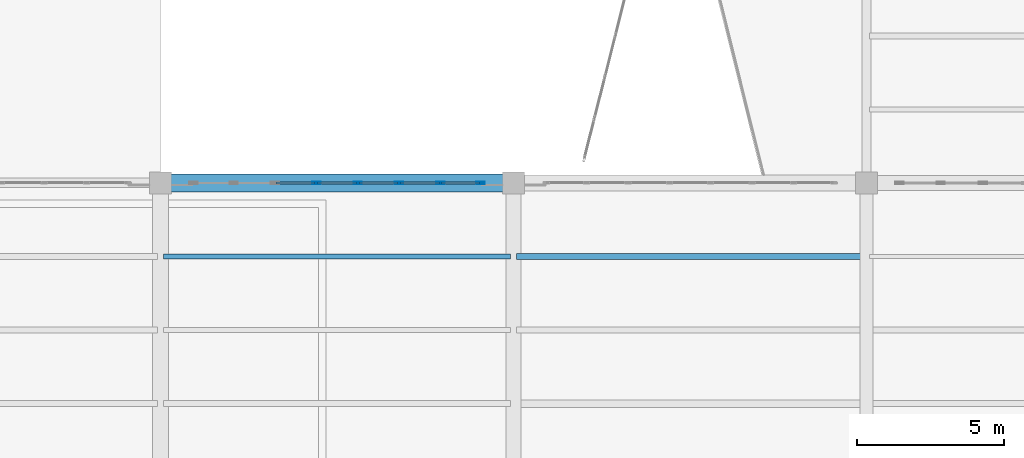
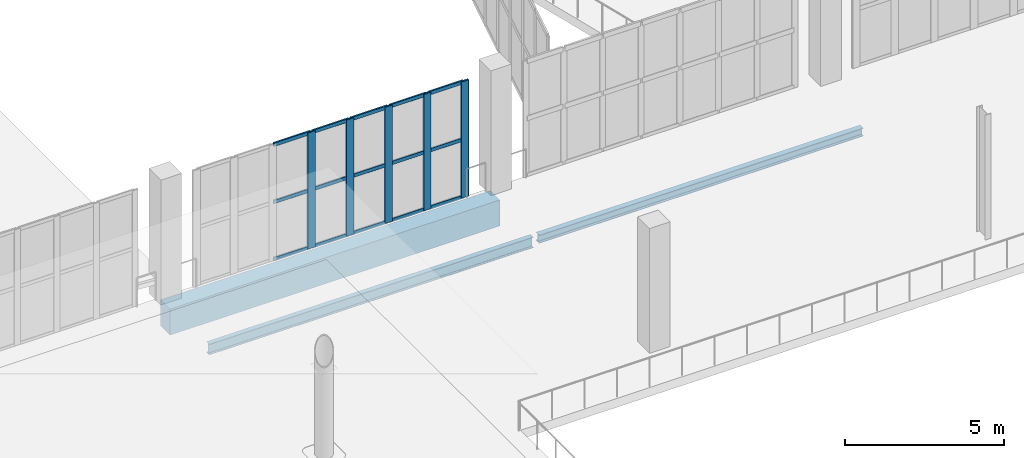
# One storey, part 28 of 136: 20 members, 3 beams, 1 element without a shape of its own.
"""IFC4 building model written with IfcOpenShell, lengths in metres."""

from ifc_helpers import new_model, si_unit, direction, frame, origin, origin_2d, place, context, subcontext, project, spatial, rectangle, hollow_rectangle, i_section, extrude, material, layer, layer_set, material_profile, profile_set, type_object, element, aggregate, save


model = new_model("IFC4")

# Units and contexts
model_context = context("Model", 3, precision=1e-05, world=origin(), true_north=direction((0.0, 1.0)))
body_context = subcontext(model_context, "Body", "Model", "MODEL_VIEW")
ifc_project = project(units=[si_unit("LENGTHUNIT", "METRE"), si_unit("AREAUNIT", "SQUARE_METRE"), si_unit("VOLUMEUNIT", "CUBIC_METRE"), si_unit("PLANEANGLEUNIT", "RADIAN"), si_unit("MASSUNIT", "GRAM", prefix="KILO")], contexts=[model_context])

# Site, building, storey
site_placement = place(None, origin())
site = spatial("IfcSite", under=ifc_project, at=site_placement, CompositionType="ELEMENT")
building_placement = place(site_placement, origin())
building = spatial("IfcBuilding", under=site, at=building_placement, Name="Brinegate Civic Arena", CompositionType="ELEMENT")
storey_placement = place(building_placement, frame((0.0, 0.0, 5.39990234375)))
storey = spatial("IfcBuildingStorey", under=building, at=storey_placement, Name="L01", CompositionType="ELEMENT", Elevation=5.39990234375)

# Curtain wall, members
ifc_material_1 = material(Name="Marine grade aluminium", Category="aluminium")
ifc_layer = layer(ifc_material_1, 0.18505859375, Name="Marine grade aluminium")
ifc_layer_set = layer_set([ifc_layer], Name="Marine grade aluminium")
curtain_wall_type = type_object("IfcCurtainWallType", Name="CW-WING-GLAZED-03", PredefinedType="USERDEFINED", material=ifc_layer_set)
curtain_wall_placement = place(storey_placement, origin())
curtain_wall = element("IfcCurtainWall", 1, at=curtain_wall_placement, inside=storey, type_object=curtain_wall_type, Name="Curtain Wall CWA-015", ObjectType="GLAZED CURTAIN WALL", PredefinedType="USERDEFINED")
ifc_material_profile_1 = material_profile(ifc_material_1, hollow_rectangle(XDim=0.080078125, YDim=0.280029296875, WallThickness=0.007080078125, InnerFilletRadius=0.0048828125, OuterFilletRadius=0.010009765625, at=origin_2d()), Name="MUL80X280")
ifc_profile_set_1 = profile_set([ifc_material_profile_1], Name="Marine grade aluminium")
member_type_1 = type_object("IfcMemberType", Name="CW-MULLION-80X280", PredefinedType="MULLION", material=ifc_profile_set_1)
member_1_placement = place(storey_placement, frame((17.297119140625, 52.0, 0.0), z_axis=(0.0, 0.0, 1.0), x_axis=(0.0, 1.0, 0.0)))
member_1 = element("IfcMember", 2, at=member_1_placement, type_object=member_type_1, Name="CWA-015 mullion 4", PredefinedType="MULLION", context=body_context, shape_type="SweptSolid", body=[
    extrude(hollow_rectangle(XDim=0.080078125, YDim=0.280029296875, WallThickness=0.007080078125, InnerFilletRadius=0.0048828125, OuterFilletRadius=0.010009765625, at=origin_2d()), origin(), (0.0, 0.0, 1.0), 4.47021484375),
])
member_2_placement = place(storey_placement, frame((18.702880859375, 52.0, 0.0), z_axis=(0.0, 0.0, 1.0), x_axis=(0.0, 1.0, 0.0)))
member_2 = element("IfcMember", 3, at=member_2_placement, type_object=member_type_1, Name="CWA-015 mullion 5", PredefinedType="MULLION", context=body_context, shape_type="SweptSolid", body=[
    extrude(hollow_rectangle(XDim=0.080078125, YDim=0.280029296875, WallThickness=0.007080078125, InnerFilletRadius=0.0048828125, OuterFilletRadius=0.010009765625, at=origin_2d()), origin(), (0.0, 0.0, 1.0), 4.47021484375),
])
member_3_placement = place(storey_placement, frame((20.108642578125, 52.0, 0.0), z_axis=(0.0, 0.0, 1.0), x_axis=(0.0, 1.0, 0.0)))
member_3 = element("IfcMember", 4, at=member_3_placement, type_object=member_type_1, Name="CWA-015 mullion 6", PredefinedType="MULLION", context=body_context, shape_type="SweptSolid", body=[
    extrude(hollow_rectangle(XDim=0.080078125, YDim=0.280029296875, WallThickness=0.007080078125, InnerFilletRadius=0.0048828125, OuterFilletRadius=0.010009765625, at=origin_2d()), origin(), (0.0, 0.0, 1.0), 4.47021484375),
])
member_4_placement = place(storey_placement, frame((21.514404296875, 52.0, 0.0), z_axis=(0.0, 0.0, 1.0), x_axis=(0.0, 1.0, 0.0)))
member_4 = element("IfcMember", 5, at=member_4_placement, type_object=member_type_1, Name="CWA-015 mullion 7", PredefinedType="MULLION", context=body_context, shape_type="SweptSolid", body=[
    extrude(hollow_rectangle(XDim=0.080078125, YDim=0.280029296875, WallThickness=0.007080078125, InnerFilletRadius=0.0048828125, OuterFilletRadius=0.010009765625, at=origin_2d()), origin(), (0.0, 0.0, 1.0), 4.47021484375),
])
member_5_placement = place(storey_placement, frame((22.8798828125, 52.0, 0.0), z_axis=(0.0, 0.0, 1.0), x_axis=(0.0, 1.0, 0.0)))
member_5 = element("IfcMember", 6, at=member_5_placement, type_object=member_type_1, Name="CWA-015 mullion 8", PredefinedType="MULLION", context=body_context, shape_type="SweptSolid", body=[
    extrude(hollow_rectangle(XDim=0.080078125, YDim=0.280029296875, WallThickness=0.007080078125, InnerFilletRadius=0.0048828125, OuterFilletRadius=0.010009765625, at=origin_2d()), origin(), (0.0, 0.0, 1.0), 4.47021484375),
])
ifc_material_profile_2 = material_profile(ifc_material_1, hollow_rectangle(XDim=0.06494140625, YDim=0.139892578125, WallThickness=0.0048828125, InnerFilletRadius=0.00390625, OuterFilletRadius=0.008056640625, at=origin_2d()), Name="TRN65X140")
ifc_profile_set_2 = profile_set([ifc_material_profile_2], Name="Marine grade aluminium")
member_type_2 = type_object("IfcMemberType", Name="CW-TRANSOM-65X140", PredefinedType="USERDEFINED", material=ifc_profile_set_2)
member_6_placement = place(storey_placement, frame((15.931396484375, 52.0, 0.03271484375), z_axis=(1.0, 0.0, 0.0), x_axis=(0.0, 1.0, 0.0)))
member_6 = element("IfcMember", 7, at=member_6_placement, type_object=member_type_2, Name="CWA-015 transom 3.1", ObjectType="TRANSOM", PredefinedType="USERDEFINED", context=body_context, shape_type="SweptSolid", body=[
    extrude(hollow_rectangle(XDim=0.06494140625, YDim=0.139892578125, WallThickness=0.0048828125, InnerFilletRadius=0.00390625, OuterFilletRadius=0.008056640625, at=origin_2d()), origin(), (0.0, 0.0, 1.0), 1.32568359375),
])
member_7_placement = place(storey_placement, frame((15.931396484375, 52.0, 2.235107421875), z_axis=(1.0, 0.0, 0.0), x_axis=(0.0, 1.0, 0.0)))
member_7 = element("IfcMember", 8, at=member_7_placement, type_object=member_type_2, Name="CWA-015 transom 3.2", ObjectType="TRANSOM", PredefinedType="USERDEFINED", context=body_context, shape_type="SweptSolid", body=[
    extrude(hollow_rectangle(XDim=0.06494140625, YDim=0.139892578125, WallThickness=0.0048828125, InnerFilletRadius=0.00390625, OuterFilletRadius=0.008056640625, at=origin_2d()), origin(), (0.0, 0.0, 1.0), 1.32568359375),
])
member_8_placement = place(storey_placement, frame((15.931396484375, 52.0, 4.4375), z_axis=(1.0, 0.0, 0.0), x_axis=(0.0, 1.0, 0.0)))
member_8 = element("IfcMember", 9, at=member_8_placement, type_object=member_type_2, Name="CWA-015 transom 3.3", ObjectType="TRANSOM", PredefinedType="USERDEFINED", context=body_context, shape_type="SweptSolid", body=[
    extrude(hollow_rectangle(XDim=0.06494140625, YDim=0.139892578125, WallThickness=0.0048828125, InnerFilletRadius=0.00390625, OuterFilletRadius=0.008056640625, at=origin_2d()), origin(), (0.0, 0.0, 1.0), 1.32568359375),
])
member_9_placement = place(storey_placement, frame((17.337158203125, 52.0, 0.03271484375), z_axis=(1.0, 0.0, 0.0), x_axis=(0.0, 1.0, 0.0)))
member_9 = element("IfcMember", 10, at=member_9_placement, type_object=member_type_2, Name="CWA-015 transom 4.1", ObjectType="TRANSOM", PredefinedType="USERDEFINED", context=body_context, shape_type="SweptSolid", body=[
    extrude(hollow_rectangle(XDim=0.06494140625, YDim=0.139892578125, WallThickness=0.0048828125, InnerFilletRadius=0.00390625, OuterFilletRadius=0.008056640625, at=origin_2d()), origin(), (0.0, 0.0, 1.0), 1.32568359375),
])
member_10_placement = place(storey_placement, frame((17.337158203125, 52.0, 2.235107421875), z_axis=(1.0, 0.0, 0.0), x_axis=(0.0, 1.0, 0.0)))
member_10 = element("IfcMember", 11, at=member_10_placement, type_object=member_type_2, Name="CWA-015 transom 4.2", ObjectType="TRANSOM", PredefinedType="USERDEFINED", context=body_context, shape_type="SweptSolid", body=[
    extrude(hollow_rectangle(XDim=0.06494140625, YDim=0.139892578125, WallThickness=0.0048828125, InnerFilletRadius=0.00390625, OuterFilletRadius=0.008056640625, at=origin_2d()), origin(), (0.0, 0.0, 1.0), 1.32568359375),
])
member_11_placement = place(storey_placement, frame((17.337158203125, 52.0, 4.4375), z_axis=(1.0, 0.0, 0.0), x_axis=(0.0, 1.0, 0.0)))
member_11 = element("IfcMember", 12, at=member_11_placement, type_object=member_type_2, Name="CWA-015 transom 4.3", ObjectType="TRANSOM", PredefinedType="USERDEFINED", context=body_context, shape_type="SweptSolid", body=[
    extrude(hollow_rectangle(XDim=0.06494140625, YDim=0.139892578125, WallThickness=0.0048828125, InnerFilletRadius=0.00390625, OuterFilletRadius=0.008056640625, at=origin_2d()), origin(), (0.0, 0.0, 1.0), 1.32568359375),
])
member_12_placement = place(storey_placement, frame((18.742919921875, 52.0, 0.03271484375), z_axis=(1.0, 0.0, 0.0), x_axis=(0.0, 1.0, 0.0)))
member_12 = element("IfcMember", 13, at=member_12_placement, type_object=member_type_2, Name="CWA-015 transom 5.1", ObjectType="TRANSOM", PredefinedType="USERDEFINED", context=body_context, shape_type="SweptSolid", body=[
    extrude(hollow_rectangle(XDim=0.06494140625, YDim=0.139892578125, WallThickness=0.0048828125, InnerFilletRadius=0.00390625, OuterFilletRadius=0.008056640625, at=origin_2d()), origin(), (0.0, 0.0, 1.0), 1.32568359375),
])
member_13_placement = place(storey_placement, frame((18.742919921875, 52.0, 2.235107421875), z_axis=(1.0, 0.0, 0.0), x_axis=(0.0, 1.0, 0.0)))
member_13 = element("IfcMember", 14, at=member_13_placement, type_object=member_type_2, Name="CWA-015 transom 5.2", ObjectType="TRANSOM", PredefinedType="USERDEFINED", context=body_context, shape_type="SweptSolid", body=[
    extrude(hollow_rectangle(XDim=0.06494140625, YDim=0.139892578125, WallThickness=0.0048828125, InnerFilletRadius=0.00390625, OuterFilletRadius=0.008056640625, at=origin_2d()), origin(), (0.0, 0.0, 1.0), 1.32568359375),
])
member_14_placement = place(storey_placement, frame((18.742919921875, 52.0, 4.4375), z_axis=(1.0, 0.0, 0.0), x_axis=(0.0, 1.0, 0.0)))
member_14 = element("IfcMember", 15, at=member_14_placement, type_object=member_type_2, Name="CWA-015 transom 5.3", ObjectType="TRANSOM", PredefinedType="USERDEFINED", context=body_context, shape_type="SweptSolid", body=[
    extrude(hollow_rectangle(XDim=0.06494140625, YDim=0.139892578125, WallThickness=0.0048828125, InnerFilletRadius=0.00390625, OuterFilletRadius=0.008056640625, at=origin_2d()), origin(), (0.0, 0.0, 1.0), 1.32568359375),
])
member_15_placement = place(storey_placement, frame((20.148681640625, 52.0, 0.03271484375), z_axis=(1.0, 0.0, 0.0), x_axis=(0.0, 1.0, 0.0)))
member_15 = element("IfcMember", 16, at=member_15_placement, type_object=member_type_2, Name="CWA-015 transom 6.1", ObjectType="TRANSOM", PredefinedType="USERDEFINED", context=body_context, shape_type="SweptSolid", body=[
    extrude(hollow_rectangle(XDim=0.06494140625, YDim=0.139892578125, WallThickness=0.0048828125, InnerFilletRadius=0.00390625, OuterFilletRadius=0.008056640625, at=origin_2d()), origin(), (0.0, 0.0, 1.0), 1.32568359375),
])
member_16_placement = place(storey_placement, frame((20.148681640625, 52.0, 2.235107421875), z_axis=(1.0, 0.0, 0.0), x_axis=(0.0, 1.0, 0.0)))
member_16 = element("IfcMember", 17, at=member_16_placement, type_object=member_type_2, Name="CWA-015 transom 6.2", ObjectType="TRANSOM", PredefinedType="USERDEFINED", context=body_context, shape_type="SweptSolid", body=[
    extrude(hollow_rectangle(XDim=0.06494140625, YDim=0.139892578125, WallThickness=0.0048828125, InnerFilletRadius=0.00390625, OuterFilletRadius=0.008056640625, at=origin_2d()), origin(), (0.0, 0.0, 1.0), 1.32568359375),
])
member_17_placement = place(storey_placement, frame((20.148681640625, 52.0, 4.4375), z_axis=(1.0, 0.0, 0.0), x_axis=(0.0, 1.0, 0.0)))
member_17 = element("IfcMember", 18, at=member_17_placement, type_object=member_type_2, Name="CWA-015 transom 6.3", ObjectType="TRANSOM", PredefinedType="USERDEFINED", context=body_context, shape_type="SweptSolid", body=[
    extrude(hollow_rectangle(XDim=0.06494140625, YDim=0.139892578125, WallThickness=0.0048828125, InnerFilletRadius=0.00390625, OuterFilletRadius=0.008056640625, at=origin_2d()), origin(), (0.0, 0.0, 1.0), 1.32568359375),
])
member_18_placement = place(storey_placement, frame((21.55419921875, 52.0, 0.03271484375), z_axis=(1.0, 0.0, 0.0), x_axis=(0.0, 1.0, 0.0)))
member_18 = element("IfcMember", 19, at=member_18_placement, type_object=member_type_2, Name="CWA-015 transom 7.1", ObjectType="TRANSOM", PredefinedType="USERDEFINED", context=body_context, shape_type="SweptSolid", body=[
    extrude(hollow_rectangle(XDim=0.06494140625, YDim=0.139892578125, WallThickness=0.0048828125, InnerFilletRadius=0.00390625, OuterFilletRadius=0.008056640625, at=origin_2d()), origin(), (0.0, 0.0, 1.0), 1.285888671875),
])
member_19_placement = place(storey_placement, frame((21.55419921875, 52.0, 2.235107421875), z_axis=(1.0, 0.0, 0.0), x_axis=(0.0, 1.0, 0.0)))
member_19 = element("IfcMember", 20, at=member_19_placement, type_object=member_type_2, Name="CWA-015 transom 7.2", ObjectType="TRANSOM", PredefinedType="USERDEFINED", context=body_context, shape_type="SweptSolid", body=[
    extrude(hollow_rectangle(XDim=0.06494140625, YDim=0.139892578125, WallThickness=0.0048828125, InnerFilletRadius=0.00390625, OuterFilletRadius=0.008056640625, at=origin_2d()), origin(), (0.0, 0.0, 1.0), 1.285888671875),
])
member_20_placement = place(storey_placement, frame((21.55419921875, 52.0, 4.4375), z_axis=(1.0, 0.0, 0.0), x_axis=(0.0, 1.0, 0.0)))
member_20 = element("IfcMember", 21, at=member_20_placement, type_object=member_type_2, Name="CWA-015 transom 7.3", ObjectType="TRANSOM", PredefinedType="USERDEFINED", context=body_context, shape_type="SweptSolid", body=[
    extrude(hollow_rectangle(XDim=0.06494140625, YDim=0.139892578125, WallThickness=0.0048828125, InnerFilletRadius=0.00390625, OuterFilletRadius=0.008056640625, at=origin_2d()), origin(), (0.0, 0.0, 1.0), 1.285888671875),
])
aggregate(curtain_wall, [member_1, member_2, member_3, member_4, member_5, member_6, member_7, member_8, member_9, member_10, member_11, member_12, member_13, member_14, member_15, member_16, member_17, member_18, member_19, member_20])

# Beams
ifc_material_2 = material(Name="Steel S355", Category="steel")
ifc_material_profile_3 = material_profile(ifc_material_2, i_section(OverallWidth=0.205078125, OverallDepth=0.31005859375, WebThickness=0.009033203125, FlangeThickness=0.01611328125, FilletRadius=0.012939453125, at=origin_2d()), Name="W310X74")
ifc_profile_set_3 = profile_set([ifc_material_profile_3], Name="Steel S355")
beam_type_1 = type_object("IfcBeamType", Name="JOIST-W310X74", PredefinedType="JOIST", material=ifc_profile_set_3)
beam_1_placement = place(storey_placement, frame((24.10595703125, 49.5, -0.494873046875), z_axis=(1.0, 0.0, 0.0), x_axis=(0.0, 1.0, 0.0)))
element("IfcBeam", 22, at=beam_1_placement, inside=storey, type_object=beam_type_1, Name="Secondary Joist BM-L01-JX-02-04-3", PredefinedType="JOIST", context=body_context, shape_type="SweptSolid", body=[
    extrude(i_section(OverallWidth=0.205078125, OverallDepth=0.31005859375, WebThickness=0.009033203125, FlangeThickness=0.01611328125, FilletRadius=0.012939453125, at=origin_2d()), origin(), (0.0, 0.0, 1.0), 11.7880859375),
])
ifc_material_profile_4 = material_profile(ifc_material_2, i_section(OverallWidth=0.178955078125, OverallDepth=0.409912109375, WebThickness=0.009033203125, FlangeThickness=0.013916015625, FilletRadius=0.013916015625, at=origin_2d()), Name="W410X67")
ifc_profile_set_4 = profile_set([ifc_material_profile_4], Name="Steel S355")
beam_type_2 = type_object("IfcBeamType", Name="JOIST-W410X67", PredefinedType="JOIST", material=ifc_profile_set_4)
beam_2_placement = place(storey_placement, frame((12.10595703125, 49.5, -0.544921875), z_axis=(1.0, 0.0, 0.0), x_axis=(0.0, 1.0, 0.0)))
element("IfcBeam", 23, at=beam_2_placement, inside=storey, type_object=beam_type_2, Name="Secondary Joist BM-L01-JX-01-04-3", PredefinedType="JOIST", context=body_context, shape_type="SweptSolid", body=[
    extrude(i_section(OverallWidth=0.178955078125, OverallDepth=0.409912109375, WebThickness=0.009033203125, FlangeThickness=0.013916015625, FilletRadius=0.013916015625, at=origin_2d()), origin(), (0.0, 0.0, 1.0), 11.7880859375),
])
ifc_material_3 = material(Name="Concrete C50/60", Category="concrete")
ifc_material_profile_5 = material_profile(ifc_material_3, rectangle(XDim=0.60009765625, YDim=1.0, at=origin_2d()), Name="RCB600X1000")
ifc_profile_set_5 = profile_set([ifc_material_profile_5], Name="Concrete C50/60")
beam_type_3 = type_object("IfcBeamType", Name="RCG-600X1000", PredefinedType="BEAM", material=ifc_profile_set_5)
beam_3_placement = place(storey_placement, frame((12.0, 52.0, -0.83984375), z_axis=(1.0, 0.0, 0.0), x_axis=(0.0, 1.0, 0.0)))
element("IfcBeam", 24, at=beam_3_placement, inside=storey, type_object=beam_type_3, Name="Floor Girder BM-L01-GX-01-05", PredefinedType="BEAM", context=body_context, shape_type="SweptSolid", body=[
    extrude(rectangle(XDim=0.60009765625, YDim=1.0, at=origin_2d()), origin(), (0.0, 0.0, 1.0), 12.0),
])

save(model, "model.ifc")
